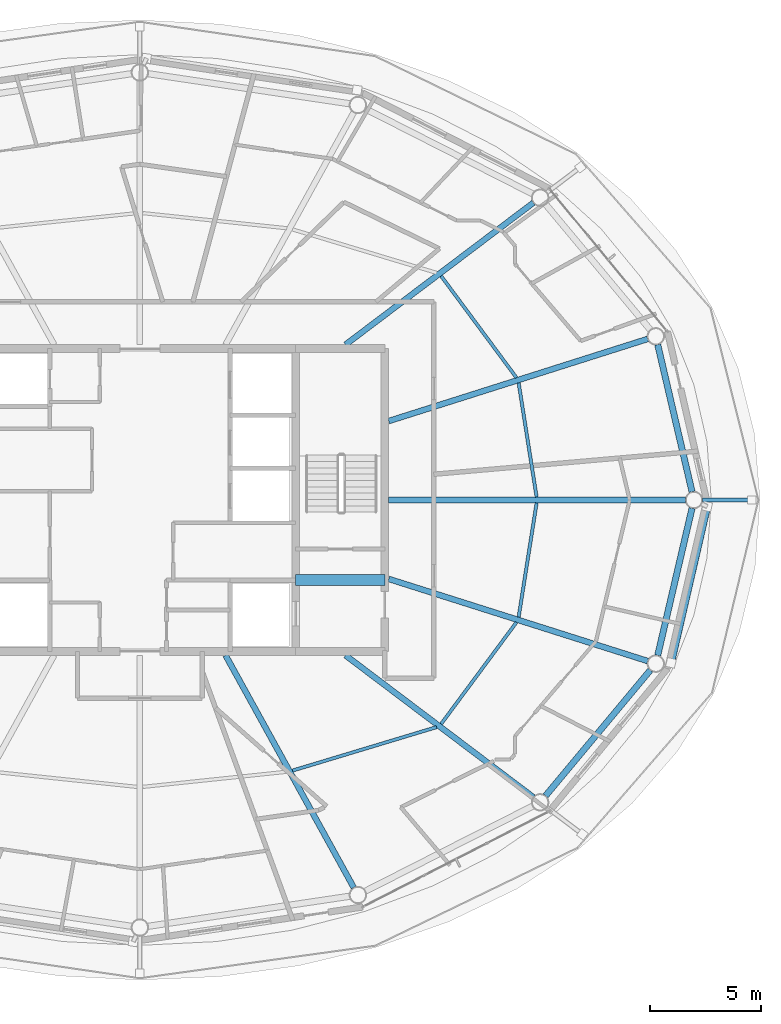
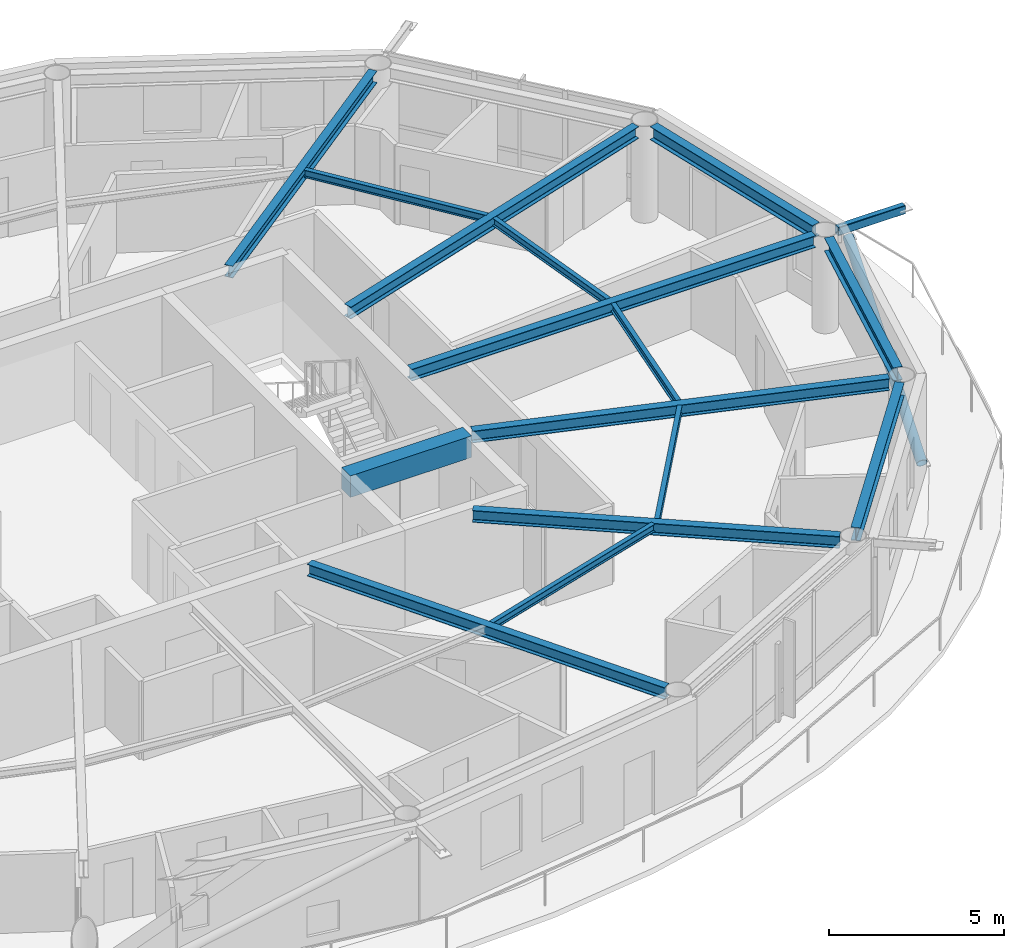
# One storey, part 6 of 23: 15 beams, 2 members.
"""IFC4 building model written with IfcOpenShell, lengths in metres."""

from ifc_helpers import new_model, si_unit, direction, frame, origin, origin_2d, place, context, subcontext, project, spatial, rectangle, hollow_rectangle, hollow_circle, i_section, extrude, material, material_profile, profile_set, type_object, element, save


model = new_model("IFC4")

# Units and contexts
model_context = context("Model", 3, precision=1e-05, world=origin(), true_north=direction((0.0, 1.0)))
body_context = subcontext(model_context, "Body", "Model", "MODEL_VIEW")
ifc_project = project(units=[si_unit("LENGTHUNIT", "METRE"), si_unit("AREAUNIT", "SQUARE_METRE"), si_unit("VOLUMEUNIT", "CUBIC_METRE"), si_unit("PLANEANGLEUNIT", "RADIAN"), si_unit("MASSUNIT", "GRAM", prefix="KILO")], contexts=[model_context])

# Site, building, storey
site_placement = place(None, origin())
site = spatial("IfcSite", under=ifc_project, at=site_placement, CompositionType="ELEMENT")
building_placement = place(site_placement, origin())
building = spatial("IfcBuilding", under=site, at=building_placement, Name="Sarneth Arch Tower", CompositionType="ELEMENT")
storey_placement = place(building_placement, frame((0.0, 0.0, 273.0)))
storey = spatial("IfcBuildingStorey", under=building, at=storey_placement, Name="L70", CompositionType="ELEMENT", Elevation=273.0)

# Beams
ifc_material_1 = material(Name="Steel S355", Category="steel")
ifc_material_profile_1 = material_profile(ifc_material_1, i_section(OverallWidth=0.14794921875, OverallDepth=0.26611328125, WebThickness=0.007568359375, FlangeThickness=0.012939453125, FilletRadius=0.012939453125, at=origin_2d()), Name="W250x44.8")
ifc_profile_set_1 = profile_set([ifc_material_profile_1], Name="Steel S355")
beam_type_1 = type_object("IfcBeamType", Name="BM-JOIST-250", PredefinedType="JOIST", material=ifc_profile_set_1)
beam_1_placement = place(storey_placement, frame((65.818359375, 42.12841796875, 3.237060546875), z_axis=(-0.155520890899, 0.987832603478, 0.0), x_axis=(-0.987832603478, -0.155520890899, 0.0)))
element("IfcBeam", 1, at=beam_1_placement, inside=storey, type_object=beam_type_1, Name="L70 Secondary floor joist 01", PredefinedType="JOIST", context=body_context, shape_type="SweptSolid", body=[
    extrude(i_section(OverallWidth=0.14794921875, OverallDepth=0.26611328125, WebThickness=0.007568359375, FlangeThickness=0.012939453125, FilletRadius=0.012939453125, at=origin_2d()), origin(), (0.0, 0.0, 1.0), 5.194580078125),
])
beam_2_placement = place(storey_placement, frame((64.912841796875, 47.49267578125, 3.237060546875), z_axis=(-0.595431044136, 0.803406417499, 0.0), x_axis=(-0.803406417499, -0.595431044136, 0.0)))
element("IfcBeam", 2, at=beam_2_placement, inside=storey, type_object=beam_type_1, Name="L70 Secondary floor joist 02", PredefinedType="JOIST", context=body_context, shape_type="SweptSolid", body=[
    extrude(i_section(OverallWidth=0.14794921875, OverallDepth=0.26611328125, WebThickness=0.007568359375, FlangeThickness=0.012939453125, FilletRadius=0.012939453125, at=origin_2d()), origin(), (0.0, 0.0, 1.0), 5.680419921875),
])
beam_3_placement = place(storey_placement, frame((54.852783203125, 29.84765625, 3.237060546875), z_axis=(0.957373106971, 0.288854174367, 0.0), x_axis=(-0.288854174367, 0.957373106971, 0.0)))
element("IfcBeam", 3, at=beam_3_placement, inside=storey, type_object=beam_type_1, Name="L70 Secondary floor joist 14", PredefinedType="JOIST", context=body_context, shape_type="SweptSolid", body=[
    extrude(i_section(OverallWidth=0.14794921875, OverallDepth=0.26611328125, WebThickness=0.007568359375, FlangeThickness=0.012939453125, FilletRadius=0.012939453125, at=origin_2d()), origin(), (0.0, 0.0, 1.0), 6.76416015625),
])
beam_4_placement = place(storey_placement, frame((61.530517578125, 31.943603515625, 3.237060546875), z_axis=(0.595431044136, 0.803406417499, 0.0), x_axis=(-0.803406417499, 0.595431044136, 0.0)))
element("IfcBeam", 4, at=beam_4_placement, inside=storey, type_object=beam_type_1, Name="L70 Secondary floor joist 15", PredefinedType="JOIST", context=body_context, shape_type="SweptSolid", body=[
    extrude(i_section(OverallWidth=0.14794921875, OverallDepth=0.26611328125, WebThickness=0.007568359375, FlangeThickness=0.012939453125, FilletRadius=0.012939453125, at=origin_2d()), origin(), (0.0, 0.0, 1.0), 5.680419921875),
])
beam_5_placement = place(storey_placement, frame((65.010498046875, 36.740234375, 3.237060546875), z_axis=(0.155520890899, 0.987832603478, 0.0), x_axis=(-0.987832603478, 0.155520890899, 0.0)))
element("IfcBeam", 5, at=beam_5_placement, inside=storey, type_object=beam_type_1, Name="L70 Secondary floor joist 16", PredefinedType="JOIST", context=body_context, shape_type="SweptSolid", body=[
    extrude(i_section(OverallWidth=0.14794921875, OverallDepth=0.26611328125, WebThickness=0.007568359375, FlangeThickness=0.012939453125, FilletRadius=0.012939453125, at=origin_2d()), origin(), (0.0, 0.0, 1.0), 5.194580078125),
])
ifc_material_2 = material(Name="Concrete C50/60", Category="concrete")
ifc_material_profile_2 = material_profile(ifc_material_2, rectangle(XDim=0.5, YDim=0.75, at=origin_2d()), Name="RC-500x750")
ifc_profile_set_2 = profile_set([ifc_material_profile_2], Name="Concrete C50/60")
beam_type_2 = type_object("IfcBeamType", Name="BM-LINTEL-RC", PredefinedType="LINTEL", material=ifc_profile_set_2)
beam_6_placement = place(storey_placement, frame((55.0, 38.39990234375, 2.9951171875), z_axis=(1.0, 0.0, 0.0), x_axis=(0.0, 1.0, 0.0)))
element("IfcBeam", 6, at=beam_6_placement, inside=storey, type_object=beam_type_2, Name="L70 Core coupling lintel E", PredefinedType="LINTEL", context=body_context, shape_type="SweptSolid", body=[
    extrude(rectangle(XDim=0.5, YDim=0.75, at=origin_2d()), origin(), (0.0, 0.0, 1.0), 4.0),
])
ifc_material_3 = material(Name="Steel S355", Category="steel")
ifc_material_profile_3 = material_profile(ifc_material_3, i_section(OverallWidth=0.260009765625, OverallDepth=0.4150390625, WebThickness=0.010009765625, FlangeThickness=0.016845703125, FilletRadius=0.01611328125, at=origin_2d()), Name="W410x100")
ifc_profile_set_3 = profile_set([ifc_material_profile_3], Name="Steel S355")
beam_type_3 = type_object("IfcBeamType", Name="BM-RAD-410A", PredefinedType="BEAM", material=ifc_profile_set_3)
beam_7_placement = place(storey_placement, frame((59.175048828125, 42.0, 3.16259765625), z_axis=(1.0, 0.0, 0.0), x_axis=(0.0, 1.0, 0.0)))
element("IfcBeam", 7, at=beam_7_placement, inside=storey, type_object=beam_type_3, Name="L70 Radial floor girder 01", PredefinedType="BEAM", context=body_context, shape_type="SweptSolid", body=[
    extrude(i_section(OverallWidth=0.260009765625, OverallDepth=0.4150390625, WebThickness=0.010009765625, FlangeThickness=0.016845703125, FilletRadius=0.01611328125, at=origin_2d()), origin(), (0.0, 0.0, 1.0), 13.3271484375),
])
beam_8_placement = place(storey_placement, frame((59.175048828125, 45.5439453125, 3.16259765625), z_axis=(0.953213623044, 0.302297517096, 0.0), x_axis=(-0.302297517096, 0.953213623044, 0.0)))
element("IfcBeam", 8, at=beam_8_placement, inside=storey, type_object=beam_type_3, Name="L70 Radial floor girder 02", PredefinedType="BEAM", context=body_context, shape_type="SweptSolid", body=[
    extrude(i_section(OverallWidth=0.260009765625, OverallDepth=0.4150390625, WebThickness=0.010009765625, FlangeThickness=0.016845703125, FilletRadius=0.01611328125, at=origin_2d()), origin(), (0.0, 0.0, 1.0), 12.201416015625),
])
beam_9_placement = place(storey_placement, frame((57.23486328125, 48.97509765625, 3.16259765625), z_axis=(0.797969745164, 0.602697507713, 0.0), x_axis=(-0.602697507713, 0.797969745164, 0.0)))
element("IfcBeam", 9, at=beam_9_placement, inside=storey, type_object=beam_type_3, Name="L70 Radial floor girder 03", PredefinedType="BEAM", context=body_context, shape_type="SweptSolid", body=[
    extrude(i_section(OverallWidth=0.260009765625, OverallDepth=0.4150390625, WebThickness=0.010009765625, FlangeThickness=0.016845703125, FilletRadius=0.01611328125, at=origin_2d()), origin(), (0.0, 0.0, 1.0), 10.572265625),
])
beam_10_placement = place(storey_placement, frame((51.849853515625, 35.02490234375, 3.16259765625), z_axis=(0.483231193732, -0.875492783182, 0.0), x_axis=(0.875492783182, 0.483231193732, 0.0)))
element("IfcBeam", 10, at=beam_10_placement, inside=storey, type_object=beam_type_3, Name="L70 Radial floor girder 14", PredefinedType="BEAM", context=body_context, shape_type="SweptSolid", body=[
    extrude(i_section(OverallWidth=0.260009765625, OverallDepth=0.4150390625, WebThickness=0.010009765625, FlangeThickness=0.016845703125, FilletRadius=0.01611328125, at=origin_2d()), origin(), (0.0, 0.0, 1.0), 11.913330078125),
])
beam_11_placement = place(storey_placement, frame((57.23486328125, 35.02490234375, 3.16259765625), z_axis=(0.797969745164, -0.602697507713, 0.0), x_axis=(0.602697507713, 0.797969745164, 0.0)))
element("IfcBeam", 11, at=beam_11_placement, inside=storey, type_object=beam_type_3, Name="L70 Radial floor girder 15", PredefinedType="BEAM", context=body_context, shape_type="SweptSolid", body=[
    extrude(i_section(OverallWidth=0.260009765625, OverallDepth=0.4150390625, WebThickness=0.010009765625, FlangeThickness=0.016845703125, FilletRadius=0.01611328125, at=origin_2d()), origin(), (0.0, 0.0, 1.0), 10.572265625),
])
beam_12_placement = place(storey_placement, frame((59.175048828125, 38.4560546875, 3.16259765625), z_axis=(0.953213623044, -0.302297517096, 0.0), x_axis=(0.302297517096, 0.953213623044, 0.0)))
element("IfcBeam", 12, at=beam_12_placement, inside=storey, type_object=beam_type_3, Name="L70 Radial floor girder 16", PredefinedType="BEAM", context=body_context, shape_type="SweptSolid", body=[
    extrude(i_section(OverallWidth=0.260009765625, OverallDepth=0.4150390625, WebThickness=0.010009765625, FlangeThickness=0.016845703125, FilletRadius=0.01611328125, at=origin_2d()), origin(), (0.0, 0.0, 1.0), 12.201416015625),
])
ifc_material_4 = material(Name="Steel S355", Category="steel")
ifc_material_profile_4 = material_profile(ifc_material_4, i_section(OverallWidth=0.280029296875, OverallDepth=0.462890625, WebThickness=0.0107421875, FlangeThickness=0.017333984375, FilletRadius=0.01806640625, at=origin_2d()), Name="W460x113")
ifc_profile_set_4 = profile_set([ifc_material_profile_4], Name="Steel S355")
beam_type_4 = type_object("IfcBeamType", Name="BM-RAD-460A", PredefinedType="BEAM", material=ifc_profile_set_4)
beam_13_placement = place(storey_placement, frame((72.796630859375, 42.37109375, 3.138427734375), z_axis=(-0.227227339933, 0.973841740729, 0.0), x_axis=(-0.973841740729, -0.227227339933, 0.0)))
element("IfcBeam", 13, at=beam_13_placement, inside=storey, type_object=beam_type_4, Name="L70 Perimeter spandrel beam 01", PredefinedType="BEAM", context=body_context, shape_type="SweptSolid", body=[
    extrude(i_section(OverallWidth=0.280029296875, OverallDepth=0.462890625, WebThickness=0.0107421875, FlangeThickness=0.017333984375, FilletRadius=0.01806640625, at=origin_2d()), origin(), (0.0, 0.0, 1.0), 6.782958984375),
])
beam_14_placement = place(storey_placement, frame((66.21923828125, 28.716064453125, 3.138427734375), z_axis=(0.640377192996, 0.768060577487, 0.0), x_axis=(-0.768060577487, 0.640377192996, 0.0)))
element("IfcBeam", 14, at=beam_14_placement, inside=storey, type_object=beam_type_4, Name="L70 Perimeter spandrel beam 15", PredefinedType="BEAM", context=body_context, shape_type="SweptSolid", body=[
    extrude(i_section(OverallWidth=0.280029296875, OverallDepth=0.462890625, WebThickness=0.0107421875, FlangeThickness=0.017333984375, FilletRadius=0.01806640625, at=origin_2d()), origin(), (0.0, 0.0, 1.0), 7.34814453125),
])
beam_15_placement = place(storey_placement, frame((71.25537109375, 35.0234375, 3.138427734375), z_axis=(0.227227339933, 0.973841740729, 0.0), x_axis=(-0.973841740729, 0.227227339933, 0.0)))
element("IfcBeam", 15, at=beam_15_placement, inside=storey, type_object=beam_type_4, Name="L70 Perimeter spandrel beam 16", PredefinedType="BEAM", context=body_context, shape_type="SweptSolid", body=[
    extrude(i_section(OverallWidth=0.280029296875, OverallDepth=0.462890625, WebThickness=0.0107421875, FlangeThickness=0.017333984375, FilletRadius=0.01806640625, at=origin_2d()), origin(), (0.0, 0.0, 1.0), 6.782958984375),
])

# Members
ifc_material_5 = material(Name="Steel S355", Category="steel")
ifc_material_profile_5 = material_profile(ifc_material_5, hollow_rectangle(XDim=0.199951171875, YDim=0.300048828125, WallThickness=0.012451171875, InnerFilletRadius=0.018798828125, OuterFilletRadius=0.03125, at=origin_2d()), Name="RHS300x200x12.5")
ifc_profile_set_5 = profile_set([ifc_material_profile_5], Name="Steel S355")
member_type_1 = type_object("IfcMemberType", Name="MEM-CANT-STRUT", PredefinedType="STRUT", material=ifc_profile_set_5)
member_1_placement = place(storey_placement, frame((73.26416015625, 42.0, 3.2099609375), z_axis=(1.0, 0.0, 0.0), x_axis=(0.0, 1.0, 0.0)))
element("IfcMember", 16, at=member_1_placement, inside=storey, type_object=member_type_1, Name="L70 Balcony cantilever bracket 01", PredefinedType="STRUT", context=body_context, shape_type="SweptSolid", body=[
    extrude(hollow_rectangle(XDim=0.199951171875, YDim=0.300048828125, WallThickness=0.012451171875, InnerFilletRadius=0.018798828125, OuterFilletRadius=0.03125, at=origin_2d()), origin(), (0.0, 0.0, 1.0), 2.213134765625),
])
ifc_material_6 = material(Name="Steel S355", Category="steel")
ifc_material_profile_6 = material_profile(ifc_material_6, hollow_circle(Radius=0.162109375, WallThickness=0.012451171875, at=origin_2d()), Name="CHS324x12.5")
ifc_profile_set_6 = profile_set([ifc_material_profile_6], Name="Steel S355")
member_type_2 = type_object("IfcMemberType", Name="MEM-DIAG-BR3", PredefinedType="BRACE", material=ifc_profile_set_6)
member_2_placement = place(storey_placement, frame((71.851806640625, 34.6845703125, 0.02001953125), z_axis=(0.207343373373, 0.896265487877, 0.392067469651), x_axis=(-0.974268900284, 0.225388797281, 0.0)))
element("IfcMember", 17, at=member_2_placement, inside=storey, type_object=member_type_2, Name="L70 Perimeter frame diagonal 16", PredefinedType="BRACE", context=body_context, shape_type="SweptSolid", body=[
    extrude(hollow_circle(Radius=0.162109375, WallThickness=0.012451171875, at=origin_2d()), origin(), (0.0, 0.0, 1.0), 7.836181640625),
])

save(model, "model.ifc")
